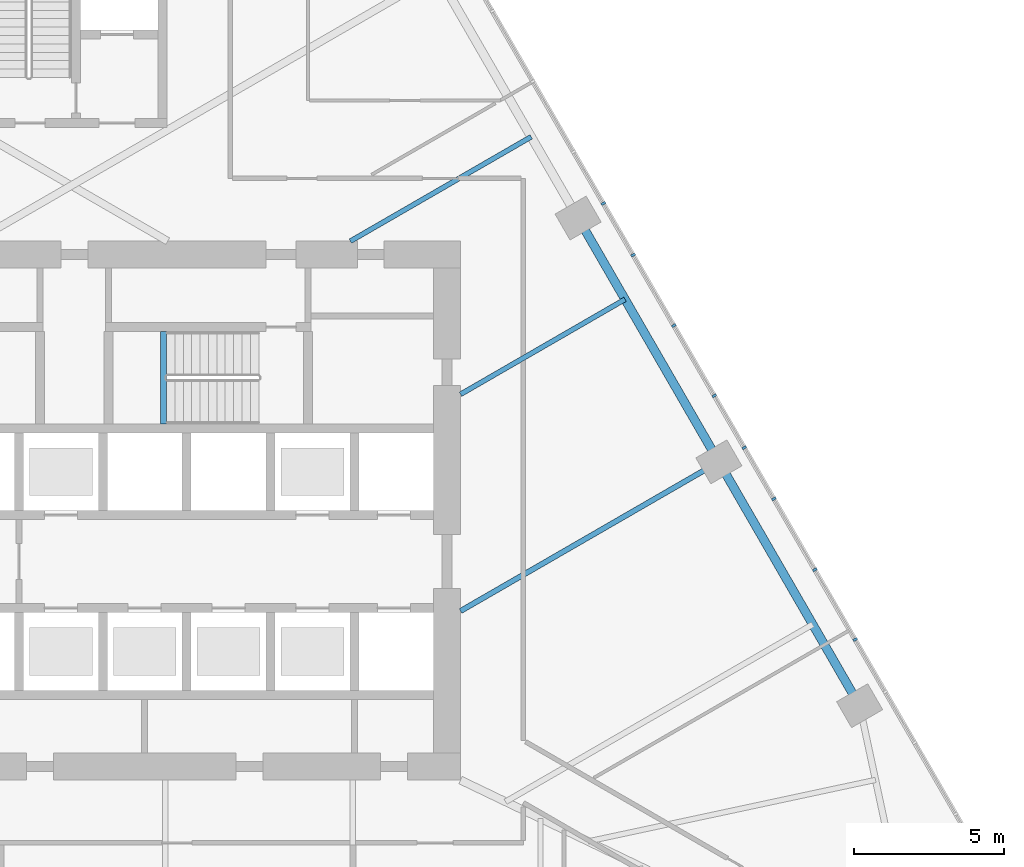
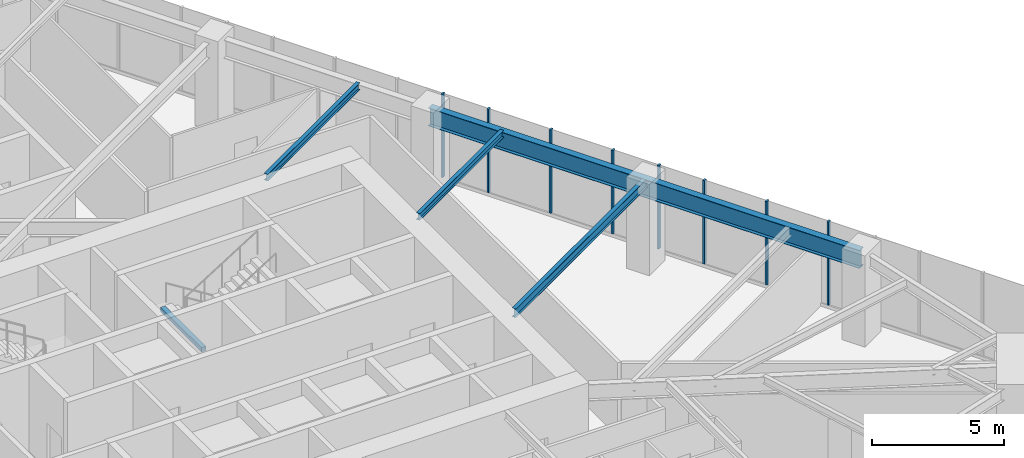
# One storey, part 7 of 21: 8 members, 5 beams, 1 element without a shape of its own.
"""IFC4 building model written with IfcOpenShell, lengths in metres."""

from ifc_helpers import new_model, si_unit, direction, frame, origin, origin_2d, place, context, subcontext, project, spatial, rectangle, i_section, extrude, material, layer, layer_set, material_profile, profile_set, type_object, element, aggregate, save


model = new_model("IFC4")

# Units and contexts
model_context = context("Model", 3, precision=1e-05, world=origin(), true_north=direction((0.0, 1.0)))
body_context = subcontext(model_context, "Body", "Model", "MODEL_VIEW")
ifc_project = project(units=[si_unit("LENGTHUNIT", "METRE"), si_unit("AREAUNIT", "SQUARE_METRE"), si_unit("VOLUMEUNIT", "CUBIC_METRE"), si_unit("PLANEANGLEUNIT", "RADIAN"), si_unit("MASSUNIT", "GRAM", prefix="KILO")], contexts=[model_context])

# Site, building, storey
site_placement = place(None, origin())
site = spatial("IfcSite", under=ifc_project, at=site_placement, CompositionType="ELEMENT")
building_placement = place(site_placement, origin())
building = spatial("IfcBuilding", under=site, at=building_placement, Name="Firuza Gate Tower and Library", CompositionType="ELEMENT")
storey_placement = place(building_placement, frame((0.0, 0.0, 94.60009765625)))
storey = spatial("IfcBuildingStorey", under=building, at=storey_placement, Name="L21", CompositionType="ELEMENT", Elevation=94.60009765625)

# Curtain wall, members
ifc_material_1 = material(Name="Aluminium 6063-T6", Category="aluminium")
ifc_layer = layer(ifc_material_1, 0.14990234375)
ifc_layer_set = layer_set([ifc_layer], Name="Unitised curtain wall, offices")
curtain_wall_type = type_object("IfcCurtainWallType", Name="Unitised curtain wall, offices", PredefinedType="NOTDEFINED", material=ifc_layer_set)
curtain_wall_placement = place(storey_placement, origin())
curtain_wall = element("IfcCurtainWall", 1, at=curtain_wall_placement, inside=storey, type_object=curtain_wall_type, Name="CW1 L21 E face", PredefinedType="NOTDEFINED")
ifc_material_2 = material(Name="Aluminium 6063-T6", Category="aluminium")
ifc_material_profile_1 = material_profile(ifc_material_2, rectangle(XDim=0.14990234375, YDim=0.080078125, at=origin_2d()))
ifc_profile_set_1 = profile_set([ifc_material_profile_1], Name="Aluminium 6063-T6")
member_type = type_object("IfcMemberType", Name="Curtain wall mullion 80x150", PredefinedType="MULLION", material=ifc_profile_set_1)
member_1_placement = place(storey_placement, frame((99.833251953125, 73.025390625, 0.14990234375), z_axis=(0.0, 0.0, 1.0), x_axis=(-0.866025403784, -0.5, 0.0)))
member_1 = element("IfcMember", 2, at=member_1_placement, type_object=member_type, Name="Mullion", PredefinedType="MULLION", context=body_context, shape_type="SweptSolid", body=[
    extrude(rectangle(XDim=0.14990234375, YDim=0.080078125, at=origin_2d()), origin(), (0.0, 0.0, 1.0), 3.85009765625),
])
member_2_placement = place(storey_placement, frame((97.47900390625, 77.103515625, 0.14990234375), z_axis=(0.0, 0.0, 1.0), x_axis=(-0.866025403784, -0.5, 0.0)))
member_2 = element("IfcMember", 3, at=member_2_placement, type_object=member_type, Name="Mullion", PredefinedType="MULLION", context=body_context, shape_type="SweptSolid", body=[
    extrude(rectangle(XDim=0.14990234375, YDim=0.080078125, at=origin_2d()), origin(), (0.0, 0.0, 1.0), 3.85009765625),
])
member_3_placement = place(storey_placement, frame((95.12451171875, 81.181396484375, 0.14990234375), z_axis=(0.0, 0.0, 1.0), x_axis=(-0.866025403784, -0.5, 0.0)))
member_3 = element("IfcMember", 4, at=member_3_placement, type_object=member_type, Name="Mullion", PredefinedType="MULLION", context=body_context, shape_type="SweptSolid", body=[
    extrude(rectangle(XDim=0.14990234375, YDim=0.080078125, at=origin_2d()), origin(), (0.0, 0.0, 1.0), 3.85009765625),
])
member_4_placement = place(storey_placement, frame((92.77001953125, 85.259521484375, 0.14990234375), z_axis=(0.0, 0.0, 1.0), x_axis=(-0.866025403784, -0.5, 0.0)))
member_4 = element("IfcMember", 5, at=member_4_placement, type_object=member_type, Name="Mullion", PredefinedType="MULLION", context=body_context, shape_type="SweptSolid", body=[
    extrude(rectangle(XDim=0.14990234375, YDim=0.080078125, at=origin_2d()), origin(), (0.0, 0.0, 1.0), 3.85009765625),
])
member_5_placement = place(storey_placement, frame((101.178955078125, 70.694580078125, 0.14990234375), z_axis=(0.0, 0.0, 1.0), x_axis=(-0.866025403784, -0.5, 0.0)))
member_5 = element("IfcMember", 6, at=member_5_placement, type_object=member_type, Name="Mullion", PredefinedType="MULLION", context=body_context, shape_type="SweptSolid", body=[
    extrude(rectangle(XDim=0.14990234375, YDim=0.080078125, at=origin_2d()), origin(), (0.0, 0.0, 1.0), 3.85009765625),
])
member_6_placement = place(storey_placement, frame((98.466064453125, 75.393798828125, 0.14990234375), z_axis=(0.0, 0.0, 1.0), x_axis=(-0.866025403784, -0.5, 0.0)))
member_6 = element("IfcMember", 7, at=member_6_placement, type_object=member_type, Name="Mullion", PredefinedType="MULLION", context=body_context, shape_type="SweptSolid", body=[
    extrude(rectangle(XDim=0.14990234375, YDim=0.080078125, at=origin_2d()), origin(), (0.0, 0.0, 1.0), 3.85009765625),
])
member_7_placement = place(storey_placement, frame((96.477294921875, 78.838134765625, 0.14990234375), z_axis=(0.0, 0.0, 1.0), x_axis=(-0.866025403784, -0.5, 0.0)))
member_7 = element("IfcMember", 8, at=member_7_placement, type_object=member_type, Name="Mullion", PredefinedType="MULLION", context=body_context, shape_type="SweptSolid", body=[
    extrude(rectangle(XDim=0.14990234375, YDim=0.080078125, at=origin_2d()), origin(), (0.0, 0.0, 1.0), 3.85009765625),
])
member_8_placement = place(storey_placement, frame((93.764404296875, 83.537353515625, 0.14990234375), z_axis=(0.0, 0.0, 1.0), x_axis=(-0.866025403784, -0.5, 0.0)))
member_8 = element("IfcMember", 9, at=member_8_placement, type_object=member_type, Name="Mullion", PredefinedType="MULLION", context=body_context, shape_type="SweptSolid", body=[
    extrude(rectangle(XDim=0.14990234375, YDim=0.080078125, at=origin_2d()), origin(), (0.0, 0.0, 1.0), 3.85009765625),
])
aggregate(curtain_wall, [member_1, member_2, member_3, member_4, member_5, member_6, member_7, member_8])

# Beams
ifc_material_3 = material(Name="Concrete C35/45", Category="concrete")
ifc_material_profile_2 = material_profile(ifc_material_3, rectangle(XDim=0.199951171875, YDim=0.199951171875, at=origin_2d()))
ifc_profile_set_2 = profile_set([ifc_material_profile_2], Name="Concrete C35/45")
beam_type_1 = type_object("IfcBeamType", Name="Stair landing bearer 200x200", PredefinedType="BEAM", material=ifc_profile_set_2)
beam_1_placement = place(storey_placement, frame((78.080078125, 80.97998046875, 1.7998046875), z_axis=(0.0, -1.0, 0.0), x_axis=(1.0, 0.0, 0.0)))
element("IfcBeam", 10, at=beam_1_placement, inside=storey, type_object=beam_type_1, Name="Landing bearer L21 stair 2", PredefinedType="BEAM", context=body_context, shape_type="SweptSolid", body=[
    extrude(rectangle(XDim=0.199951171875, YDim=0.199951171875, at=origin_2d()), origin(), (0.0, 0.0, 1.0), 3.080078125),
])
ifc_material_4 = material(Name="Steel S355", Category="steel")
ifc_material_profile_3 = material_profile(ifc_material_4, i_section(OverallWidth=0.1650390625, OverallDepth=0.31005859375, WebThickness=0.005859375, FlangeThickness=0.009765625, at=origin_2d()))
ifc_profile_set_3 = profile_set([ifc_material_profile_3], Name="Steel S355")
beam_type_2 = type_object("IfcBeamType", Name="W310x39 Floor beam", PredefinedType="JOIST", material=ifc_profile_set_3)
beam_2_placement = place(storey_placement, frame((93.492919921875, 82.0576171875, 3.844970703125), z_axis=(-0.866022132074, -0.500005666725, 0.0), x_axis=(0.500005666725, -0.866022132074, 0.0)))
element("IfcBeam", 11, at=beam_2_placement, inside=storey, type_object=beam_type_2, Name="Floor beam L21 s52", PredefinedType="JOIST", context=body_context, shape_type="SweptSolid", body=[
    extrude(i_section(OverallWidth=0.1650390625, OverallDepth=0.31005859375, WebThickness=0.005859375, FlangeThickness=0.009765625, at=origin_2d()), origin(), (0.0, 0.0, 1.0), 6.3427734375),
])
beam_3_placement = place(storey_placement, frame((90.3583984375, 87.486572265625, 3.844970703125), z_axis=(-0.866021748659, -0.50000633081, 0.0), x_axis=(0.50000633081, -0.866021748659, 0.0)))
element("IfcBeam", 12, at=beam_3_placement, inside=storey, type_object=beam_type_2, Name="Floor beam L21 s53", PredefinedType="JOIST", context=body_context, shape_type="SweptSolid", body=[
    extrude(i_section(OverallWidth=0.1650390625, OverallDepth=0.31005859375, WebThickness=0.005859375, FlangeThickness=0.009765625, at=origin_2d()), origin(), (0.0, 0.0, 1.0), 6.97314453125),
])
ifc_material_5 = material(Name="Steel S355", Category="steel")
ifc_material_profile_4 = material_profile(ifc_material_5, i_section(OverallWidth=0.177978515625, OverallDepth=0.406982421875, WebThickness=0.0078125, FlangeThickness=0.0126953125, at=origin_2d()))
ifc_profile_set_4 = profile_set([ifc_material_profile_4], Name="Steel S355")
beam_type_3 = type_object("IfcBeamType", Name="W410x60 Floor beam", PredefinedType="JOIST", material=ifc_profile_set_4)
beam_4_placement = place(storey_placement, frame((96.627197265625, 76.62841796875, 3.79638671875), z_axis=(-0.866023562183, -0.500003189735, 0.0), x_axis=(0.500003189735, -0.866023562183, 0.0)))
element("IfcBeam", 13, at=beam_4_placement, inside=storey, type_object=beam_type_3, Name="Floor beam L21 s51", PredefinedType="JOIST", context=body_context, shape_type="SweptSolid", body=[
    extrude(i_section(OverallWidth=0.177978515625, OverallDepth=0.406982421875, WebThickness=0.0078125, FlangeThickness=0.0126953125, at=origin_2d()), origin(), (0.0, 0.0, 1.0), 9.9619140625),
])
ifc_material_6 = material(Name="Steel S355", Category="steel")
ifc_material_profile_5 = material_profile(ifc_material_6, i_section(OverallWidth=0.2919921875, OverallDepth=0.8349609375, WebThickness=0.013916015625, FlangeThickness=0.018798828125, at=origin_2d()))
ifc_profile_set_5 = profile_set([ifc_material_profile_5], Name="Steel S355")
beam_type_4 = type_object("IfcBeamType", Name="W840x176 Edge beam", PredefinedType="SPANDREL", material=ifc_profile_set_5)
beam_5_placement = place(storey_placement, frame((101.3291015625, 68.48486328125, 3.58251953125), z_axis=(-0.500007874956, 0.866020857129, 0.0), x_axis=(-0.866020857129, -0.500007874956, 0.0)))
element("IfcBeam", 14, at=beam_5_placement, inside=storey, type_object=beam_type_4, Name="Edge beam L21 e50", PredefinedType="SPANDREL", context=body_context, shape_type="SweptSolid", body=[
    extrude(i_section(OverallWidth=0.2919921875, OverallDepth=0.8349609375, WebThickness=0.013916015625, FlangeThickness=0.018798828125, at=origin_2d()), origin(), (0.0, 0.0, 1.0), 18.806884765625),
])

save(model, "model.ifc")
